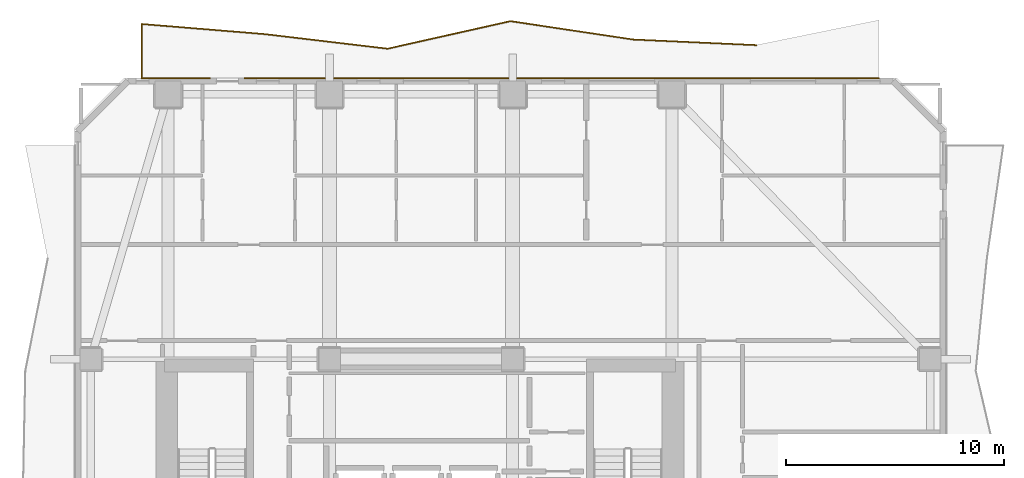
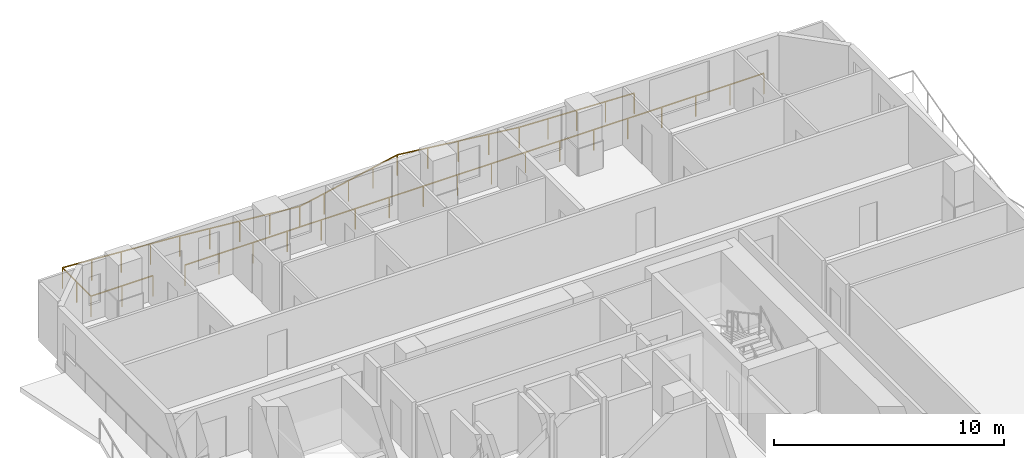
# One storey, part 11 of 11: 2 railings.
"""IFC4 building model written with IfcOpenShell, lengths in metres."""

from ifc_helpers import new_model, si_unit, direction, frame, origin, origin_2d, place, context, subcontext, project, spatial, rectangle, extrude, material, type_object, element, save


model = new_model("IFC4")

# Units and contexts
model_context = context("Model", 3, precision=1e-05, world=origin(), true_north=direction((0.0, 1.0)))
body_context = subcontext(model_context, "Body", "Model", "MODEL_VIEW")
ifc_project = project(units=[si_unit("LENGTHUNIT", "METRE"), si_unit("AREAUNIT", "SQUARE_METRE"), si_unit("VOLUMEUNIT", "CUBIC_METRE"), si_unit("PLANEANGLEUNIT", "RADIAN"), si_unit("MASSUNIT", "GRAM", prefix="KILO")], contexts=[model_context])

# Site, building, storey
site_placement = place(None, origin())
site = spatial("IfcSite", under=ifc_project, at=site_placement, CompositionType="ELEMENT")
building_placement = place(site_placement, origin())
building = spatial("IfcBuilding", under=site, at=building_placement, Name="Solanera Arch Residences", CompositionType="ELEMENT")
storey_placement = place(building_placement, frame((0.0, 0.0, 159.199951171875)))
storey = spatial("IfcBuildingStorey", under=building, at=storey_placement, Name="L46", CompositionType="ELEMENT", Elevation=159.199951171875)

# Railings
ifc_material = material(Name="Steel S355 (ASTM A992 / A572 Grade 50)", Category="steel")
railing_type = type_object("IfcRailingType", Name="Balustrade Railing BL-1100", PredefinedType="BALUSTRADE", material=ifc_material)
railing_1_placement = place(storey_placement, frame((40.366943359375, 53.800048828125, 0.0)))
element("IfcRailing", 1, at=railing_1_placement, inside=storey, type_object=railing_type, Name="L46 N Balcony Balustrade 1", PredefinedType="BALUSTRADE", context=body_context, shape_type="SweptSolid", body=[
    extrude(rectangle(XDim=0.048095703125, YDim=0.048095703125, at=origin_2d()), frame((0.0, 0.0, 1.09619140625), z_axis=(-0.99897041371, 0.045366425167, 0.0), x_axis=(-0.045366425167, -0.99897041371, 0.0)), (0.0, 0.0, 1.0), 5.639892578125),
    extrude(rectangle(XDim=0.048095703125, YDim=0.048095703125, at=origin_2d()), frame((-5.634033203125, 0.255859375, 1.09619140625), z_axis=(-0.98898534747, 0.148013453745, 0.0), x_axis=(-0.148013453745, -0.98898534747, 0.0)), (0.0, 0.0, 1.0), 5.695556640625),
    extrude(rectangle(XDim=0.048095703125, YDim=0.048095703125, at=origin_2d()), frame((-11.266845703125, 1.098876953125, 1.09619140625), z_axis=(-0.975740224697, -0.218931527901, 0.0), x_axis=(0.218931527901, -0.975740224697, 0.0)), (0.0, 0.0, 1.0), 5.773193359375),
    extrude(rectangle(XDim=0.048095703125, YDim=0.048095703125, at=origin_2d()), frame((-16.89990234375, -0.1650390625, 1.09619140625), z_axis=(-0.993004740566, 0.118074490103, 0.0), x_axis=(-0.118074490103, -0.993004740566, 0.0)), (0.0, 0.0, 1.0), 5.673828125),
    extrude(rectangle(XDim=0.048095703125, YDim=0.048095703125, at=origin_2d()), frame((-22.533935546875, 0.5048828125, 1.09619140625), z_axis=(-0.996637195999, 0.081940829576, 0.0), x_axis=(-0.081940829576, -0.996637195999, 0.0)), (0.0, 0.0, 1.0), 5.652099609375),
    extrude(rectangle(XDim=0.048095703125, YDim=0.048095703125, at=origin_2d()), frame((-28.1669921875, 0.968017578125, 1.09619140625), z_axis=(0.0, -1.0, 0.0), x_axis=(1.0, 0.0, 0.0)), (0.0, 0.0, 1.0), 2.488037109375),
    extrude(rectangle(XDim=0.048095703125, YDim=0.048095703125, at=origin_2d()), frame((-28.1669921875, -1.52001953125, 1.09619140625), z_axis=(1.0, 0.0, 0.0), x_axis=(0.0, 1.0, 0.0)), (0.0, 0.0, 1.0), 3.116943359375),
    extrude(rectangle(XDim=0.0419921875, YDim=0.0419921875, at=origin_2d()), origin(), (0.0, 0.0, 1.0), 1.072021484375),
    extrude(rectangle(XDim=0.0419921875, YDim=0.0419921875, at=origin_2d()), frame((-1.408447265625, 0.06396484375, 0.0)), (0.0, 0.0, 1.0), 1.072021484375),
    extrude(rectangle(XDim=0.0419921875, YDim=0.0419921875, at=origin_2d()), frame((-2.81689453125, 0.1279296875, 0.0)), (0.0, 0.0, 1.0), 1.072021484375),
    extrude(rectangle(XDim=0.0419921875, YDim=0.0419921875, at=origin_2d()), frame((-4.2255859375, 0.19189453125, 0.0)), (0.0, 0.0, 1.0), 1.072021484375),
    extrude(rectangle(XDim=0.0419921875, YDim=0.0419921875, at=origin_2d()), frame((-5.634033203125, 0.255859375, 0.0)), (0.0, 0.0, 1.0), 1.072021484375),
    extrude(rectangle(XDim=0.0419921875, YDim=0.0419921875, at=origin_2d()), frame((-7.042236328125, 0.466552734375, 0.0)), (0.0, 0.0, 1.0), 1.072021484375),
    extrude(rectangle(XDim=0.0419921875, YDim=0.0419921875, at=origin_2d()), frame((-8.450439453125, 0.67724609375, 0.0)), (0.0, 0.0, 1.0), 1.072021484375),
    extrude(rectangle(XDim=0.0419921875, YDim=0.0419921875, at=origin_2d()), frame((-9.858642578125, 0.88818359375, 0.0)), (0.0, 0.0, 1.0), 1.072021484375),
    extrude(rectangle(XDim=0.0419921875, YDim=0.0419921875, at=origin_2d()), frame((-11.266845703125, 1.098876953125, 0.0)), (0.0, 0.0, 1.0), 1.072021484375),
    extrude(rectangle(XDim=0.0419921875, YDim=0.0419921875, at=origin_2d()), frame((-12.675048828125, 0.782958984375, 0.0)), (0.0, 0.0, 1.0), 1.072021484375),
    extrude(rectangle(XDim=0.0419921875, YDim=0.0419921875, at=origin_2d()), frame((-14.08349609375, 0.466796875, 0.0)), (0.0, 0.0, 1.0), 1.072021484375),
    extrude(rectangle(XDim=0.0419921875, YDim=0.0419921875, at=origin_2d()), frame((-15.49169921875, 0.15087890625, 0.0)), (0.0, 0.0, 1.0), 1.072021484375),
    extrude(rectangle(XDim=0.0419921875, YDim=0.0419921875, at=origin_2d()), frame((-16.89990234375, -0.1650390625, 0.0)), (0.0, 0.0, 1.0), 1.072021484375),
    extrude(rectangle(XDim=0.0419921875, YDim=0.0419921875, at=origin_2d()), frame((-18.308349609375, 0.00244140625, 0.0)), (0.0, 0.0, 1.0), 1.072021484375),
    extrude(rectangle(XDim=0.0419921875, YDim=0.0419921875, at=origin_2d()), frame((-19.716796875, 0.169921875, 0.0)), (0.0, 0.0, 1.0), 1.072021484375),
    extrude(rectangle(XDim=0.0419921875, YDim=0.0419921875, at=origin_2d()), frame((-21.12548828125, 0.33740234375, 0.0)), (0.0, 0.0, 1.0), 1.072021484375),
    extrude(rectangle(XDim=0.0419921875, YDim=0.0419921875, at=origin_2d()), frame((-22.533935546875, 0.5048828125, 0.0)), (0.0, 0.0, 1.0), 1.072021484375),
    extrude(rectangle(XDim=0.0419921875, YDim=0.0419921875, at=origin_2d()), frame((-23.942138671875, 0.62060546875, 0.0)), (0.0, 0.0, 1.0), 1.072021484375),
    extrude(rectangle(XDim=0.0419921875, YDim=0.0419921875, at=origin_2d()), frame((-25.3505859375, 0.736328125, 0.0)), (0.0, 0.0, 1.0), 1.072021484375),
    extrude(rectangle(XDim=0.0419921875, YDim=0.0419921875, at=origin_2d()), frame((-26.7587890625, 0.852294921875, 0.0)), (0.0, 0.0, 1.0), 1.072021484375),
    extrude(rectangle(XDim=0.0419921875, YDim=0.0419921875, at=origin_2d()), frame((-28.1669921875, 0.968017578125, 0.0)), (0.0, 0.0, 1.0), 1.072021484375),
    extrude(rectangle(XDim=0.0419921875, YDim=0.0419921875, at=origin_2d()), frame((-28.1669921875, -0.27587890625, 0.0)), (0.0, 0.0, 1.0), 1.072021484375),
    extrude(rectangle(XDim=0.0419921875, YDim=0.0419921875, at=origin_2d()), frame((-28.1669921875, -1.52001953125, 0.0)), (0.0, 0.0, 1.0), 1.072021484375),
    extrude(rectangle(XDim=0.0419921875, YDim=0.0419921875, at=origin_2d()), frame((-26.6083984375, -1.52001953125, 0.0)), (0.0, 0.0, 1.0), 1.072021484375),
    extrude(rectangle(XDim=0.0419921875, YDim=0.0419921875, at=origin_2d()), frame((-25.050048828125, -1.52001953125, 0.0)), (0.0, 0.0, 1.0), 1.072021484375),
])
railing_2_placement = place(storey_placement, frame((16.9169921875, 52.280029296875, 0.0)))
element("IfcRailing", 2, at=railing_2_placement, inside=storey, type_object=railing_type, Name="L46 N Balcony Balustrade 2", PredefinedType="BALUSTRADE", context=body_context, shape_type="SweptSolid", body=[
    extrude(rectangle(XDim=0.048095703125, YDim=0.048095703125, at=origin_2d()), frame((0.0, 0.0, 1.09619140625), z_axis=(1.0, 0.0, 0.0), x_axis=(0.0, 1.0, 0.0)), (0.0, 0.0, 1.0), 29.0830078125),
    extrude(rectangle(XDim=0.0419921875, YDim=0.0419921875, at=origin_2d()), origin(), (0.0, 0.0, 1.0), 1.072021484375),
    extrude(rectangle(XDim=0.0419921875, YDim=0.0419921875, at=origin_2d()), frame((1.710693359375, 0.0, 0.0)), (0.0, 0.0, 1.0), 1.072021484375),
    extrude(rectangle(XDim=0.0419921875, YDim=0.0419921875, at=origin_2d()), frame((3.421630859375, 0.0, 0.0)), (0.0, 0.0, 1.0), 1.072021484375),
    extrude(rectangle(XDim=0.0419921875, YDim=0.0419921875, at=origin_2d()), frame((5.13232421875, 0.0, 0.0)), (0.0, 0.0, 1.0), 1.072021484375),
    extrude(rectangle(XDim=0.0419921875, YDim=0.0419921875, at=origin_2d()), frame((6.843017578125, 0.0, 0.0)), (0.0, 0.0, 1.0), 1.072021484375),
    extrude(rectangle(XDim=0.0419921875, YDim=0.0419921875, at=origin_2d()), frame((8.5537109375, 0.0, 0.0)), (0.0, 0.0, 1.0), 1.072021484375),
    extrude(rectangle(XDim=0.0419921875, YDim=0.0419921875, at=origin_2d()), frame((10.2646484375, 0.0, 0.0)), (0.0, 0.0, 1.0), 1.072021484375),
    extrude(rectangle(XDim=0.0419921875, YDim=0.0419921875, at=origin_2d()), frame((11.975341796875, 0.0, 0.0)), (0.0, 0.0, 1.0), 1.072021484375),
    extrude(rectangle(XDim=0.0419921875, YDim=0.0419921875, at=origin_2d()), frame((13.68603515625, 0.0, 0.0)), (0.0, 0.0, 1.0), 1.072021484375),
    extrude(rectangle(XDim=0.0419921875, YDim=0.0419921875, at=origin_2d()), frame((15.39697265625, 0.0, 0.0)), (0.0, 0.0, 1.0), 1.072021484375),
    extrude(rectangle(XDim=0.0419921875, YDim=0.0419921875, at=origin_2d()), frame((17.107666015625, 0.0, 0.0)), (0.0, 0.0, 1.0), 1.072021484375),
    extrude(rectangle(XDim=0.0419921875, YDim=0.0419921875, at=origin_2d()), frame((18.818359375, 0.0, 0.0)), (0.0, 0.0, 1.0), 1.072021484375),
    extrude(rectangle(XDim=0.0419921875, YDim=0.0419921875, at=origin_2d()), frame((20.529296875, 0.0, 0.0)), (0.0, 0.0, 1.0), 1.072021484375),
    extrude(rectangle(XDim=0.0419921875, YDim=0.0419921875, at=origin_2d()), frame((22.239990234375, 0.0, 0.0)), (0.0, 0.0, 1.0), 1.072021484375),
    extrude(rectangle(XDim=0.0419921875, YDim=0.0419921875, at=origin_2d()), frame((23.95068359375, 0.0, 0.0)), (0.0, 0.0, 1.0), 1.072021484375),
    extrude(rectangle(XDim=0.0419921875, YDim=0.0419921875, at=origin_2d()), frame((25.661376953125, 0.0, 0.0)), (0.0, 0.0, 1.0), 1.072021484375),
    extrude(rectangle(XDim=0.0419921875, YDim=0.0419921875, at=origin_2d()), frame((27.372314453125, 0.0, 0.0)), (0.0, 0.0, 1.0), 1.072021484375),
    extrude(rectangle(XDim=0.0419921875, YDim=0.0419921875, at=origin_2d()), frame((29.0830078125, 0.0, 0.0)), (0.0, 0.0, 1.0), 1.072021484375),
])

save(model, "model.ifc")
